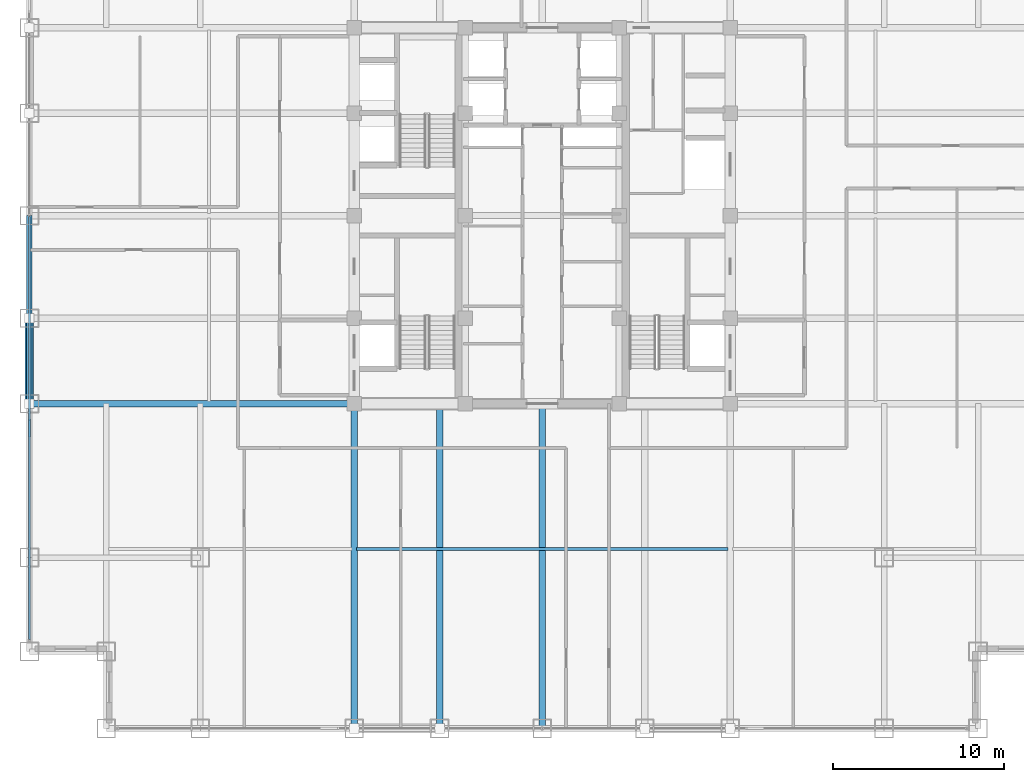
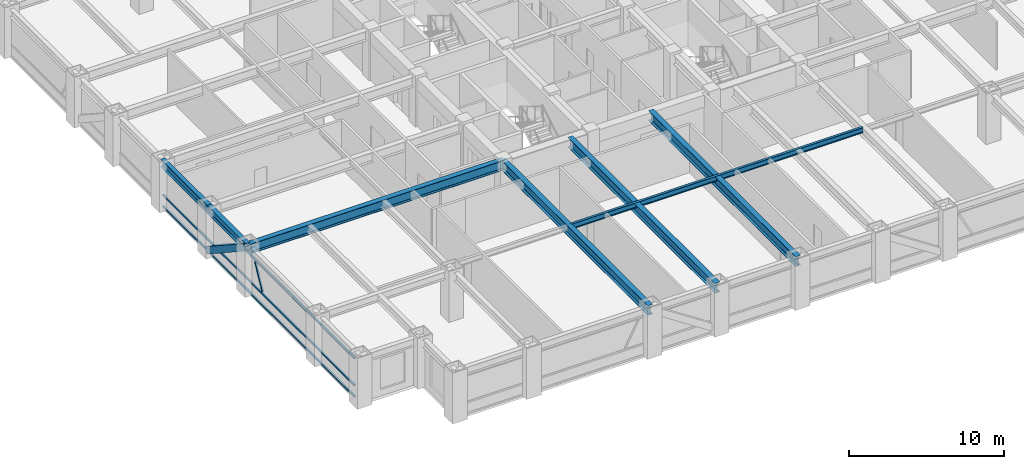
# One storey, part 5 of 24: 7 beams, 5 members, 1 element without a shape of its own.
"""IFC4 building model written with IfcOpenShell, lengths in metres."""

from ifc_helpers import new_model, si_unit, direction, frame, origin, origin_2d, place, context, subcontext, project, spatial, hollow_rectangle, i_section, extrude, source, transform, mapped, material, material_profile, profile_set, type_object, element, aggregate, save


model = new_model("IFC4")

# Units and contexts
model_context = context("Model", 3, precision=1e-05, world=origin(), true_north=direction((0.0, 1.0)))
body_context = subcontext(model_context, "Body", "Model", "MODEL_VIEW")
ifc_project = project(units=[si_unit("LENGTHUNIT", "METRE"), si_unit("AREAUNIT", "SQUARE_METRE"), si_unit("VOLUMEUNIT", "CUBIC_METRE"), si_unit("PLANEANGLEUNIT", "RADIAN"), si_unit("MASSUNIT", "GRAM", prefix="KILO")], contexts=[model_context])

# Site, building, storey
site_placement = place(None, origin())
site = spatial("IfcSite", under=ifc_project, at=site_placement, CompositionType="ELEMENT")
building_placement = place(site_placement, origin())
building = spatial("IfcBuilding", under=site, at=building_placement, Name="Khorayat Bourse Tower", CompositionType="ELEMENT")
storey_placement = place(building_placement, frame((0.0, 0.0, 203.10009765625)))
storey = spatial("IfcBuildingStorey", under=building, at=storey_placement, Name="L47", CompositionType="ELEMENT", Elevation=203.10009765625)

# Beams
ifc_material_1 = material(Name="Steel ASTM A992 Grade 50", Category="steel")
ifc_material_profile_1 = material_profile(ifc_material_1, i_section(OverallWidth=0.381103515625, OverallDepth=0.77294921875, WebThickness=0.0166015625, FlangeThickness=0.027587890625, FilletRadius=0.01806640625, at=origin_2d()), Name="W760X257")
ifc_profile_set_1 = profile_set([ifc_material_profile_1], Name="Steel ASTM A992 Grade 50")
beam_type_1 = type_object("IfcBeamType", Name="BM-GIRD-760", PredefinedType="BEAM", material=ifc_profile_set_1)
shared_shape_1 = source(origin(), body_context, "Body", "SweptSolid", [
    extrude(i_section(OverallWidth=0.381103515625, OverallDepth=0.77294921875, WebThickness=0.0166015625, FlangeThickness=0.027587890625, FilletRadius=0.01806640625, at=origin_2d()), origin(), (0.0, 0.0, 1.0), 19.0),
])
for number, where, z_axis, x_axis, name in (
    (1, (-11.0, -30.0, 3.393310546875), (0.0, 1.0, 0.0), (-1.0, 0.0, 0.0), "L47 BM-GIRD-760 BM-L47-RADY-065"),
    (2, (-6.0, -30.0, 3.393310546875), (0.0, 1.0, 0.0), (-1.0, 0.0, 0.0), "L47 BM-GIRD-760 BM-L47-RADY-067"),
    (3, (0.0, -30.0, 3.393310546875), (0.0, 1.0, 0.0), (-1.0, 0.0, 0.0), "L47 BM-GIRD-760 BM-L47-RADY-069"),
    (4, (-30.0, -11.0, 3.393310546875), (1.0, 0.0, 0.0), (0.0, 1.0, 0.0), "L47 BM-GIRD-760 BM-L47-RADX-075"),
):
    element("IfcBeam", number, at=place(storey_placement, frame(where, z_axis=z_axis, x_axis=x_axis)), inside=storey, type_object=beam_type_1, Name=name, PredefinedType="BEAM", context=body_context, shape_type="MappedRepresentation", body=[
        mapped(shared_shape_1, transform((0.0, 0.0, 0.0), scale=1.0)),
    ])
ifc_material_profile_2 = material_profile(ifc_material_1, i_section(OverallWidth=0.180908203125, OverallDepth=0.4169921875, WebThickness=0.010986328125, FlangeThickness=0.018310546875, FilletRadius=0.011962890625, at=origin_2d()), Name="W410X85")
ifc_profile_set_2 = profile_set([ifc_material_profile_2], Name="Steel ASTM A992 Grade 50")
beam_type_2 = type_object("IfcBeamType", Name="BM-JOIST-410", PredefinedType="JOIST", material=ifc_profile_set_2)
shared_shape_2 = source(origin(), body_context, "Body", "SweptSolid", [
    extrude(i_section(OverallWidth=0.180908203125, OverallDepth=0.4169921875, WebThickness=0.010986328125, FlangeThickness=0.018310546875, FilletRadius=0.011962890625, at=origin_2d()), origin(), (0.0, 0.0, 1.0), 21.740234375),
])
beam_1_placement = place(storey_placement, frame((-10.8701171875, -19.5, 3.5712890625), z_axis=(1.0, 0.0, 0.0), x_axis=(0.0, 1.0, 0.0)))
element("IfcBeam", 5, at=beam_1_placement, inside=storey, type_object=beam_type_2, Name="L47 BM-JOIST-410 BM-L47-JSTX-097", PredefinedType="JOIST", context=body_context, shape_type="MappedRepresentation", body=[
    mapped(shared_shape_2, transform((0.0, 0.0, 0.0), scale=1.0)),
])
ifc_material_profile_3 = material_profile(ifc_material_1, i_section(OverallWidth=0.324951171875, OverallDepth=0.615966796875, WebThickness=0.013916015625, FlangeThickness=0.021484375, FilletRadius=0.01611328125, at=origin_2d()), Name="W610X174")
ifc_profile_set_3 = profile_set([ifc_material_profile_3], Name="Steel ASTM A992 Grade 50")
beam_type_3 = type_object("IfcBeamType", Name="BM-SPAN-610", PredefinedType="SPANDREL", material=ifc_profile_set_3)
shared_shape_3 = source(origin(), body_context, "Body", "SweptSolid", [
    extrude(i_section(OverallWidth=0.324951171875, OverallDepth=0.615966796875, WebThickness=0.013916015625, FlangeThickness=0.021484375, FilletRadius=0.01611328125, at=origin_2d()), origin(), (0.0, 0.0, 1.0), 5.0),
])
beam_2_placement = place(storey_placement, frame((-30.0, -11.0, 3.471923828125), z_axis=(0.0, 1.0, 0.0), x_axis=(-1.0, 0.0, 0.0)))
element("IfcBeam", 6, at=beam_2_placement, inside=storey, type_object=beam_type_3, Name="L47 BM-SPAN-610 BM-L47-SPN-059", PredefinedType="SPANDREL", context=body_context, shape_type="MappedRepresentation", body=[
    mapped(shared_shape_3, transform((0.0, 0.0, 0.0), scale=1.0)),
])
shared_shape_4 = source(origin(), body_context, "Body", "SweptSolid", [
    extrude(i_section(OverallWidth=0.324951171875, OverallDepth=0.615966796875, WebThickness=0.013916015625, FlangeThickness=0.021484375, FilletRadius=0.01611328125, at=origin_2d()), origin(), (0.0, 0.0, 1.0), 6.0),
])
beam_3_placement = place(storey_placement, frame((-30.0, -6.0, 3.471923828125), z_axis=(0.0, 1.0, 0.0), x_axis=(-1.0, 0.0, 0.0)))
element("IfcBeam", 7, at=beam_3_placement, inside=storey, type_object=beam_type_3, Name="L47 BM-SPAN-610 BM-L47-SPN-058", PredefinedType="SPANDREL", context=body_context, shape_type="MappedRepresentation", body=[
    mapped(shared_shape_4, transform((0.0, 0.0, 0.0), scale=1.0)),
])

# Member
ifc_material_2 = material(Name="Steel EN 10025-4 S460M", Category="steel")
ifc_material_profile_4 = material_profile(ifc_material_2, hollow_rectangle(XDim=0.5, YDim=0.5, WallThickness=0.028076171875, at=origin_2d()), Name="HSS 500x500x28")
ifc_profile_set_4 = profile_set([ifc_material_profile_4], Name="Steel EN 10025-4 S460M")
member_type_1 = type_object("IfcMemberType", Name="MBR-TUBE-500", PredefinedType="BRACE", material=ifc_profile_set_4)
shared_shape_5 = source(origin(), body_context, "Body", "SweptSolid", [
    extrude(hollow_rectangle(XDim=0.5, YDim=0.5, WallThickness=0.028076171875, at=origin_2d()), origin(), (0.0, 0.0, 1.0), 5.979736328125),
])
member_1_placement = place(storey_placement, frame((-30.0, -11.0, 3.52978515625), z_axis=(0.0, 0.836160261256, -0.548485202623), x_axis=(-1.0, 0.0, 0.0)))
element("IfcMember", 8, at=member_1_placement, inside=storey, type_object=member_type_1, Name="L47 Perimeter Tube Brace 05", PredefinedType="BRACE", context=body_context, shape_type="MappedRepresentation", body=[
    mapped(shared_shape_5, transform((0.0, 0.0, 0.0), scale=1.0)),
])

# Curtain wall, members
ifc_material_3 = material(Name="Aluminium EN AW-6063 T6", Category="aluminium")
curtain_wall_type = type_object("IfcCurtainWallType", Name="CW-SYS-03", PredefinedType="NOTDEFINED", material=ifc_material_3)
curtain_wall_placement = place(storey_placement, origin())
curtain_wall = element("IfcCurtainWall", 9, at=curtain_wall_placement, inside=storey, type_object=curtain_wall_type, Name="L47 Curtain Wall CW-L47-W1", PredefinedType="NOTDEFINED")
ifc_material_profile_5 = material_profile(ifc_material_3, hollow_rectangle(XDim=0.1201171875, YDim=0.1201171875, WallThickness=0.0048828125, at=origin_2d()), Name="ALU 120x120x5")
ifc_profile_set_5 = profile_set([ifc_material_profile_5], Name="Aluminium EN AW-6063 T6")
member_type_2 = type_object("IfcMemberType", Name="CWM-DIAG-120", PredefinedType="MULLION", material=ifc_profile_set_5)
shared_shape_6 = source(origin(), body_context, "Body", "SweptSolid", [
    extrude(hollow_rectangle(XDim=0.1201171875, YDim=0.1201171875, WallThickness=0.0048828125, at=origin_2d()), origin(), (0.0, 0.0, 1.0), 2.079345703125),
])
member_2_placement = place(storey_placement, frame((-30.0, -12.904296875, 1.08984375), z_axis=(0.0, 0.465760949701, 0.884910581773), x_axis=(-1.0, 0.0, 0.0)))
member_2 = element("IfcMember", 10, at=member_2_placement, type_object=member_type_2, Name="CW-L47-W1 Faceted Diagonal Mullion 1", PredefinedType="MULLION", context=body_context, shape_type="MappedRepresentation", body=[
    mapped(shared_shape_6, transform((0.0, 0.0, 0.0), scale=1.0)),
])
ifc_material_profile_6 = material_profile(ifc_material_3, hollow_rectangle(XDim=0.1201171875, YDim=0.1201171875, WallThickness=0.0048828125, at=origin_2d()), Name="ALU 120x120x5")
ifc_profile_set_6 = profile_set([ifc_material_profile_6], Name="Aluminium EN AW-6063 T6")
member_type_3 = type_object("IfcMemberType", Name="CWT-HORZ-120", PredefinedType="USERDEFINED", material=ifc_profile_set_6)
shared_shape_7 = source(origin(), body_context, "Body", "SweptSolid", [
    extrude(hollow_rectangle(XDim=0.1201171875, YDim=0.1201171875, WallThickness=0.0048828125, at=origin_2d()), origin(), (0.0, 0.0, 1.0), 24.719970703125),
])
member_3_placement = place(storey_placement, frame((-30.0, -24.780029296875, 0.059814453125), z_axis=(0.0, 1.0, 0.0), x_axis=(-1.0, 0.0, 0.0)))
member_3 = element("IfcMember", 11, at=member_3_placement, type_object=member_type_3, Name="CW-L47-W1 Horizontal Transom 1-1", ObjectType="TRANSOM", PredefinedType="USERDEFINED", context=body_context, shape_type="MappedRepresentation", body=[
    mapped(shared_shape_7, transform((0.0, 0.0, 0.0), scale=1.0)),
])
member_4_placement = place(storey_placement, frame((-30.0, -24.780029296875, 0.949951171875), z_axis=(0.0, 1.0, 0.0), x_axis=(-1.0, 0.0, 0.0)))
member_4 = element("IfcMember", 12, at=member_4_placement, type_object=member_type_3, Name="CW-L47-W1 Horizontal Transom 1-2", ObjectType="TRANSOM", PredefinedType="USERDEFINED", context=body_context, shape_type="MappedRepresentation", body=[
    mapped(shared_shape_7, transform((0.0, 0.0, 0.0), scale=1.0)),
])
member_5_placement = place(storey_placement, frame((-30.0, -24.780029296875, 3.06982421875), z_axis=(0.0, 1.0, 0.0), x_axis=(-1.0, 0.0, 0.0)))
member_5 = element("IfcMember", 13, at=member_5_placement, type_object=member_type_3, Name="CW-L47-W1 Horizontal Transom 1-3", ObjectType="TRANSOM", PredefinedType="USERDEFINED", context=body_context, shape_type="MappedRepresentation", body=[
    mapped(shared_shape_7, transform((0.0, 0.0, 0.0), scale=1.0)),
])
aggregate(curtain_wall, [member_3, member_4, member_5, member_2])

save(model, "model.ifc")
